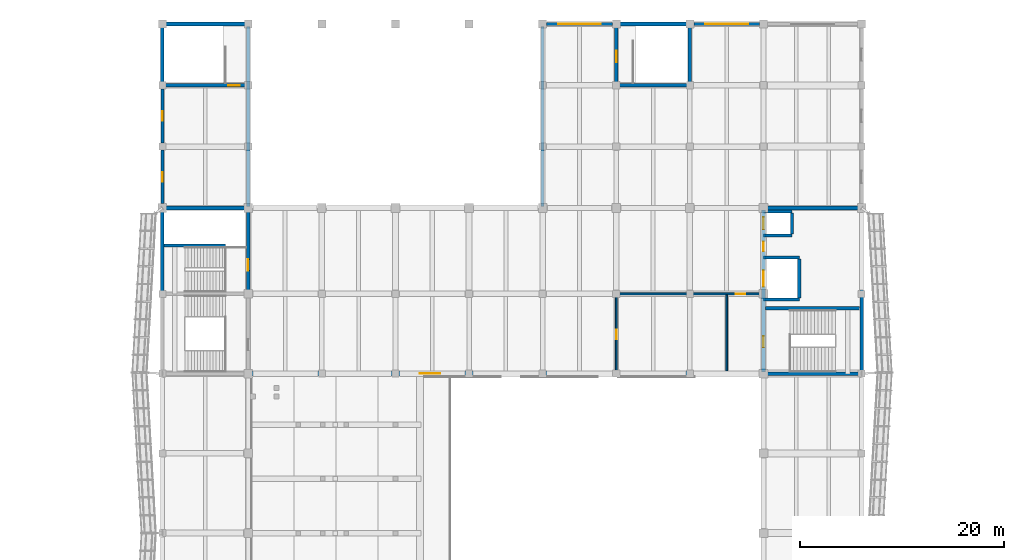
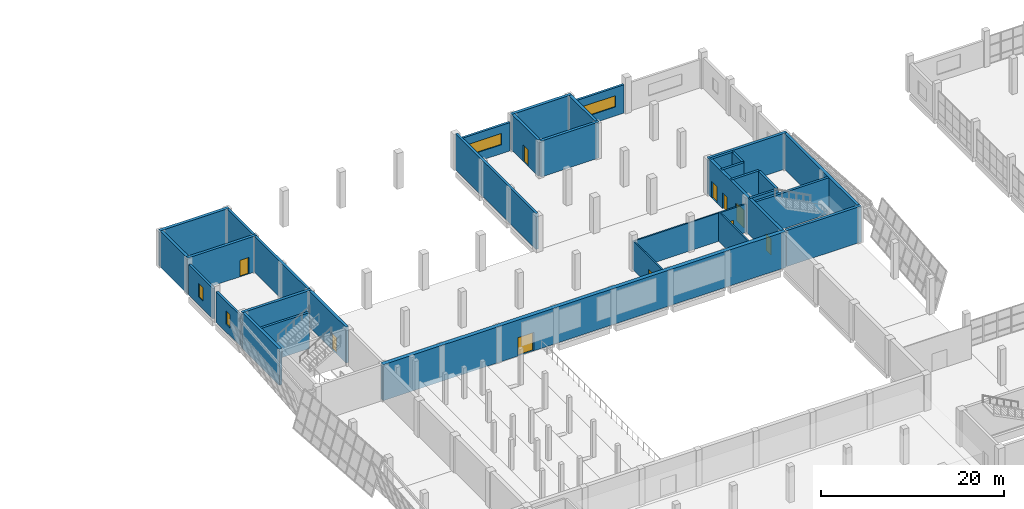
# One storey, part 82 of 91: 32 walls, 10 doors, 4 windows, 14 openings.
"""IFC4 building model written with IfcOpenShell, lengths in metres."""

from ifc_helpers import new_model, si_unit, direction, frame, frame_2d, origin, place, context, subcontext, project, spatial, rectangle, extrude, material, layer, layer_set, type_object, element, fill, save


model = new_model("IFC4")

# Units and contexts
model_context = context("Model", 3, precision=1e-05, world=origin(), true_north=direction((0.0, 1.0)))
body_context = subcontext(model_context, "Body", "Model", "MODEL_VIEW")
ifc_project = project(units=[si_unit("LENGTHUNIT", "METRE"), si_unit("AREAUNIT", "SQUARE_METRE"), si_unit("VOLUMEUNIT", "CUBIC_METRE"), si_unit("PLANEANGLEUNIT", "RADIAN"), si_unit("MASSUNIT", "GRAM", prefix="KILO")], contexts=[model_context])

# Site, building, storey
site_placement = place(None, origin())
site = spatial("IfcSite", under=ifc_project, at=site_placement, CompositionType="ELEMENT")
building_placement = place(site_placement, origin())
building = spatial("IfcBuilding", under=site, at=building_placement, Name="Pellamere Symphony Hall", CompositionType="ELEMENT")
storey_placement = place(building_placement, frame((0.0, 0.0, 5.39990234375)))
storey = spatial("IfcBuildingStorey", under=building, at=storey_placement, Name="L01", CompositionType="ELEMENT", Elevation=5.39990234375)

# Wall, opening, window
ifc_material_1 = material(Name="Architectural Limestone-Clad Insulated Backing Assembly", Category="masonry")
ifc_layer_1 = layer(ifc_material_1, 0.280029296875, Name="Architectural Limestone-Clad Insulated Backing Assembly")
ifc_layer_set_1 = layer_set([ifc_layer_1], Name="Architectural Limestone-Clad Insulated Backing Assembly")
wall_type_1 = type_object("IfcWallType", Name="Exterior Wall EW-03 280mm", PredefinedType="SOLIDWALL", material=ifc_layer_set_1)
wall_1_placement = place(storey_placement, frame((87.989990234375, 111.60009765625, 0.0), z_axis=(0.0, 0.0, 1.0), x_axis=(1.0, 0.0, 0.0)))
wall_1 = element("IfcWall", 1, at=wall_1_placement, inside=storey, type_object=wall_type_1, Name="Exterior Wall EW-03-028 (L01)", PredefinedType="SOLIDWALL", context=body_context, shape_type="SweptSolid", body=[
    extrude(rectangle(XDim=6.419921875, YDim=0.280029296875, at=frame_2d((3.2099609375, 0.0))), origin(), (0.0, 0.0, 1.0), 3.780029296875),
])
opening_1_placement = place(wall_1_placement, frame((1.110107421875, 0.0, 1.199951171875)))
opening_1 = element("IfcOpeningElement", 2, at=opening_1_placement, cuts=wall_1, Name="Opening W022", PredefinedType="OPENING", context=body_context, shape_type="SweptSolid", body=[
    extrude(rectangle(XDim=4.199951171875, YDim=1.5, at=frame_2d((2.10009765625, 0.75))), frame((0.0, 0.14990234375, 0.0), z_axis=(0.0, -1.0, 0.0), x_axis=(1.0, 0.0, 0.0)), (0.0, 0.0, 1.0), 0.300048828125),
])
ifc_material_2 = material(Name="Thermally Broken Aluminium Triple-Glazed Acoustic Window", Category="aluminium")
window_type_1 = type_object("IfcWindowType", Name="Window WN-09 4200x1500", PartitioningType="TRIPLE_PANEL_HORIZONTAL", PredefinedType="WINDOW", material=ifc_material_2)
window_1_placement = place(opening_1_placement, origin())
window_1 = element("IfcWindow", 3, at=window_1_placement, inside=storey, type_object=window_type_1, Name="Exterior Window W022 (L01)", OverallHeight=1.5, OverallWidth=4.199951171875, PartitioningType="SINGLE_PANEL", PredefinedType="WINDOW", context=body_context, shape_type="SweptSolid", body=[
    extrude(rectangle(XDim=4.199951171875, YDim=1.5, at=frame_2d((2.10009765625, 0.75))), frame((0.0, 0.030029296875, 0.0), z_axis=(0.0, -1.0, 0.0), x_axis=(1.0, 0.0, 0.0)), (0.0, 0.0, 1.0), 0.06005859375),
])
fill(opening_1, window_1)

wall_2_placement = place(storey_placement, frame((102.389892578125, 111.60009765625, 0.0), z_axis=(0.0, 0.0, 1.0), x_axis=(1.0, 0.0, 0.0)))
wall_2 = element("IfcWall", 4, at=wall_2_placement, inside=storey, type_object=wall_type_1, Name="Exterior Wall EW-03-029 (L01)", PredefinedType="SOLIDWALL", context=body_context, shape_type="SweptSolid", body=[
    extrude(rectangle(XDim=6.420166015625, YDim=0.280029296875, at=frame_2d((3.2099609375, 0.0))), origin(), (0.0, 0.0, 1.0), 3.780029296875),
])
opening_2_placement = place(wall_2_placement, frame((1.110107421875, 0.0, 1.199951171875)))
opening_2 = element("IfcOpeningElement", 5, at=opening_2_placement, cuts=wall_2, Name="Opening W023", PredefinedType="OPENING", context=body_context, shape_type="SweptSolid", body=[
    extrude(rectangle(XDim=4.199951171875, YDim=1.5, at=frame_2d((2.10009765625, 0.75))), frame((0.0, 0.14990234375, 0.0), z_axis=(0.0, -1.0, 0.0), x_axis=(1.0, 0.0, 0.0)), (0.0, 0.0, 1.0), 0.300048828125),
])
window_2_placement = place(opening_2_placement, origin())
window_2 = element("IfcWindow", 6, at=window_2_placement, inside=storey, type_object=window_type_1, Name="Exterior Window W023 (L01)", OverallHeight=1.5, OverallWidth=4.199951171875, PartitioningType="SINGLE_PANEL", PredefinedType="WINDOW", context=body_context, shape_type="SweptSolid", body=[
    extrude(rectangle(XDim=4.199951171875, YDim=1.5, at=frame_2d((2.10009765625, 0.75))), frame((0.0, 0.030029296875, 0.0), z_axis=(0.0, -1.0, 0.0), x_axis=(1.0, 0.0, 0.0)), (0.0, 0.0, 1.0), 0.06005859375),
])
fill(opening_2, window_2)

wall_3_placement = place(storey_placement, frame((50.39990234375, 94.02490234375, 0.0), z_axis=(0.0, 0.0, 1.0), x_axis=(0.0, 1.0, 0.0)))
wall_3 = element("IfcWall", 7, at=wall_3_placement, inside=storey, type_object=wall_type_1, Name="Exterior Wall EW-03-031 (L01)", PredefinedType="SOLIDWALL", context=body_context, shape_type="SweptSolid", body=[
    extrude(rectangle(XDim=5.22509765625, YDim=0.280029296875, at=frame_2d((2.612548828125, 0.0))), origin(), (0.0, 0.0, 1.0), 4.065673828125),
])
opening_3_placement = place(wall_3_placement, frame((2.137451171875, 0.0, 1.050048828125)))
opening_3 = element("IfcOpeningElement", 8, at=opening_3_placement, cuts=wall_3, Name="Opening W025", PredefinedType="OPENING", context=body_context, shape_type="SweptSolid", body=[
    extrude(rectangle(XDim=0.949951171875, YDim=1.800048828125, at=frame_2d((0.47509765625, 0.89990234375))), frame((0.0, 0.14990234375, 0.0), z_axis=(0.0, -1.0, 0.0), x_axis=(1.0, 0.0, 0.0)), (0.0, 0.0, 1.0), 0.300048828125),
])
window_type_2 = type_object("IfcWindowType", Name="Window WN-08 950x1800", PartitioningType="SINGLE_PANEL", PredefinedType="WINDOW", material=ifc_material_2)
window_3_placement = place(opening_3_placement, origin())
window_3 = element("IfcWindow", 9, at=window_3_placement, inside=storey, type_object=window_type_2, Name="Exterior Window W025 (L01)", OverallHeight=1.800048828125, OverallWidth=0.949951171875, PartitioningType="SINGLE_PANEL", PredefinedType="WINDOW", context=body_context, shape_type="SweptSolid", body=[
    extrude(rectangle(XDim=0.949951171875, YDim=1.800048828125, at=frame_2d((0.47509765625, 0.89990234375))), frame((0.0, 0.030029296875, 0.0), z_axis=(0.0, -1.0, 0.0), x_axis=(1.0, 0.0, 0.0)), (0.0, 0.0, 1.0), 0.06005859375),
])
fill(opening_3, window_3)

wall_4_placement = place(storey_placement, frame((50.39990234375, 99.949951171875, 0.0), z_axis=(0.0, 0.0, 1.0), x_axis=(0.0, 1.0, 0.0)))
wall_4 = element("IfcWall", 10, at=wall_4_placement, inside=storey, type_object=wall_type_1, Name="Exterior Wall EW-03-033 (L01)", PredefinedType="SOLIDWALL", context=body_context, shape_type="SweptSolid", body=[
    extrude(rectangle(XDim=5.300048828125, YDim=0.280029296875, at=frame_2d((2.64990234375, 0.0))), origin(), (0.0, 0.0, 1.0), 4.065673828125),
])
opening_4_placement = place(wall_4_placement, frame((2.175048828125, 0.0, 1.050048828125)))
opening_4 = element("IfcOpeningElement", 11, at=opening_4_placement, cuts=wall_4, Name="Opening W027", PredefinedType="OPENING", context=body_context, shape_type="SweptSolid", body=[
    extrude(rectangle(XDim=0.949951171875, YDim=1.800048828125, at=frame_2d((0.47509765625, 0.89990234375))), frame((0.0, 0.14990234375, 0.0), z_axis=(0.0, -1.0, 0.0), x_axis=(1.0, 0.0, 0.0)), (0.0, 0.0, 1.0), 0.300048828125),
])
window_4_placement = place(opening_4_placement, origin())
window_4 = element("IfcWindow", 12, at=window_4_placement, inside=storey, type_object=window_type_2, Name="Exterior Window W027 (L01)", OverallHeight=1.800048828125, OverallWidth=0.949951171875, PartitioningType="SINGLE_PANEL", PredefinedType="WINDOW", context=body_context, shape_type="SweptSolid", body=[
    extrude(rectangle(XDim=0.949951171875, YDim=1.800048828125, at=frame_2d((0.47509765625, 0.89990234375))), frame((0.0, 0.030029296875, 0.0), z_axis=(0.0, -1.0, 0.0), x_axis=(1.0, 0.0, 0.0)), (0.0, 0.0, 1.0), 0.06005859375),
])
fill(opening_4, window_4)

# Wall, opening, door
ifc_material_3 = material(Name="Moisture-Resistant Ceramic-Tiled Washroom Wall", Category="gypsum")
ifc_layer_2 = layer(ifc_material_3, 0.179931640625, Name="Moisture-Resistant Ceramic-Tiled Washroom Wall")
ifc_layer_set_2 = layer_set([ifc_layer_2], Name="Moisture-Resistant Ceramic-Tiled Washroom Wall")
wall_type_2 = type_object("IfcWallType", Name="Interior Partition IW-06 180mm", PredefinedType="PARTITIONING", material=ifc_layer_set_2)
wall_5_placement = place(storey_placement, frame((94.800048828125, 77.550048828125, 0.0), z_axis=(0.0, 0.0, 1.0), x_axis=(0.0, 1.0, 0.0)))
wall_5 = element("IfcWall", 13, at=wall_5_placement, inside=storey, type_object=wall_type_2, Name="Interior Partition IW-06-069 (L01)", PredefinedType="PARTITIONING", context=body_context, shape_type="SweptSolid", body=[
    extrude(rectangle(XDim=7.64990234375, YDim=0.179931640625, at=frame_2d((3.824951171875, 0.0))), origin(), (0.0, 0.0, 1.0), 3.85009765625),
])
opening_5_placement = place(wall_5_placement, frame((3.199951171875, 0.0, 0.0)))
opening_5 = element("IfcOpeningElement", 14, at=opening_5_placement, cuts=wall_5, Name="Opening ID-WC1-032", PredefinedType="OPENING", context=body_context, shape_type="SweptSolid", body=[
    extrude(rectangle(XDim=0.919921875, YDim=2.14990234375, at=frame_2d((0.4599609375, 1.074951171875))), frame((0.0, 0.099853515625, 0.0), z_axis=(0.0, -1.0, 0.0), x_axis=(1.0, 0.0, 0.0)), (0.0, 0.0, 1.0), 0.199951171875),
])
ifc_material_4 = material(Name="Accessible Washroom Privacy Door", Category="wood")
door_type_1 = type_object("IfcDoorType", Name="Interior Door ID-WC1 920x2150", OperationType="NOTDEFINED", PredefinedType="DOOR", material=ifc_material_4)
door_1_placement = place(opening_5_placement, origin())
door_1 = element("IfcDoor", 15, at=door_1_placement, inside=storey, type_object=door_type_1, Name="Dress Circle Public Washroom Door", OperationType="SINGLE_SWING_LEFT", OverallHeight=2.14990234375, OverallWidth=0.919921875, PredefinedType="DOOR", context=body_context, shape_type="SweptSolid", body=[
    extrude(rectangle(XDim=0.919921875, YDim=2.14990234375, at=frame_2d((0.4599609375, 1.074951171875))), frame((0.0, 0.02490234375, 0.0), z_axis=(0.0, -1.0, 0.0), x_axis=(1.0, 0.0, 0.0)), (0.0, 0.0, 1.0), 0.050048828125),
])
fill(opening_5, door_1)

wall_6_placement = place(storey_placement, frame((94.889892578125, 85.199951171875, 0.0), z_axis=(0.0, 0.0, 1.0), x_axis=(1.0, 0.0, 0.0)))
wall_6 = element("IfcWall", 16, at=wall_6_placement, inside=storey, type_object=wall_type_2, Name="Interior Partition IW-06-070 (L01)", PredefinedType="PARTITIONING", context=body_context, shape_type="SweptSolid", body=[
    extrude(rectangle(XDim=14.130126953125, YDim=0.179931640625, at=frame_2d((7.06494140625, 0.0))), origin(), (0.0, 0.0, 1.0), 3.780029296875),
])
opening_6_placement = place(wall_6_placement, frame((11.60009765625, 0.0, 0.0)))
opening_6 = element("IfcOpeningElement", 17, at=opening_6_placement, cuts=wall_6, Name="Opening ID-WC1-033", PredefinedType="OPENING", context=body_context, shape_type="SweptSolid", body=[
    extrude(rectangle(XDim=0.919921875, YDim=2.14990234375, at=frame_2d((0.4599609375, 1.074951171875))), frame((0.0, 0.099853515625, 0.0), z_axis=(0.0, -1.0, 0.0), x_axis=(1.0, 0.0, 0.0)), (0.0, 0.0, 1.0), 0.199951171875),
])
door_2_placement = place(opening_6_placement, origin())
door_2 = element("IfcDoor", 18, at=door_2_placement, inside=storey, type_object=door_type_1, Name="Dress Circle Accessible WC Door", OperationType="SINGLE_SWING_RIGHT", OverallHeight=2.14990234375, OverallWidth=0.919921875, PredefinedType="DOOR", context=body_context, shape_type="SweptSolid", body=[
    extrude(rectangle(XDim=0.919921875, YDim=2.14990234375, at=frame_2d((0.4599609375, 1.074951171875))), frame((0.0, 0.02490234375, 0.0), z_axis=(0.0, -1.0, 0.0), x_axis=(1.0, 0.0, 0.0)), (0.0, 0.0, 1.0), 0.050048828125),
])
fill(opening_6, door_2)

# Walls
wall_7_placement = place(storey_placement, frame((105.60009765625, 77.659912109375, 0.0), z_axis=(0.0, 0.0, 1.0), x_axis=(0.0, 1.0, 0.0)))
element("IfcWall", 19, at=wall_7_placement, inside=storey, type_object=wall_type_2, Name="Interior Partition IW-06-071 (L01)", PredefinedType="PARTITIONING", context=body_context, shape_type="SweptSolid", body=[
    extrude(rectangle(XDim=7.440185546875, YDim=0.179931640625, at=frame_2d((3.72021484375, 0.0))), origin(), (0.0, 0.0, 1.0), 3.93505859375),
])
ifc_material_5 = material(Name="Concrete 40 MPa", Category="concrete")
ifc_layer_3 = layer(ifc_material_5, 0.35009765625, Name="Concrete 40 MPa")
ifc_layer_set_3 = layer_set([ifc_layer_3], Name="Concrete 40 MPa")
wall_type_3 = type_object("IfcWallType", Name="Structural Wall SW-03 350mm", PredefinedType="SHEAR", material=ifc_layer_set_3)
wall_8_placement = place(storey_placement, frame((109.52001953125, 77.39990234375, 0.0), z_axis=(0.0, 0.0, 1.0), x_axis=(1.0, 0.0, 0.0)))
element("IfcWall", 20, at=wall_8_placement, inside=storey, type_object=wall_type_3, Name="Core Shear Wall C4 S (L01)", PredefinedType="SHEAR", context=body_context, shape_type="SweptSolid", body=[
    extrude(rectangle(XDim=9.455078125, YDim=0.35009765625, at=frame_2d((4.7275390625, 0.0))), origin(), (0.0, 0.0, 1.0), 4.800048828125),
])
wall_9_placement = place(storey_placement, frame((109.02490234375, 93.60009765625, 0.0), z_axis=(0.0, 0.0, 1.0), x_axis=(1.0, 0.0, 0.0)))
element("IfcWall", 21, at=wall_9_placement, inside=storey, type_object=wall_type_3, Name="Core Shear Wall C4 N (L01)", PredefinedType="SHEAR", context=body_context, shape_type="SweptSolid", body=[
    extrude(rectangle(XDim=9.9501953125, YDim=0.35009765625, at=frame_2d((4.97509765625, 0.0))), origin(), (0.0, 0.0, 1.0), 4.800048828125),
])

# Wall, openings, doors
wall_10_placement = place(storey_placement, frame((109.199951171875, 77.574951171875, 0.0), z_axis=(0.0, 0.0, 1.0), x_axis=(0.0, 1.0, 0.0)))
wall_10 = element("IfcWall", 22, at=wall_10_placement, inside=storey, type_object=wall_type_3, Name="Core Shear Wall C4 W (L01)", PredefinedType="SHEAR", context=body_context, shape_type="SweptSolid", body=[
    extrude(rectangle(XDim=15.85009765625, YDim=0.35009765625, at=frame_2d((7.925048828125, 0.0))), origin(), (0.0, 0.0, 1.0), 4.800048828125),
])
opening_7_placement = place(wall_10_placement, frame((8.324951171875, 0.0, 0.0)))
opening_7 = element("IfcOpeningElement", 23, at=opening_7_placement, cuts=wall_10, Name="Opening LD-47", PredefinedType="OPENING", context=body_context, shape_type="SweptSolid", body=[
    extrude(rectangle(XDim=1.60009765625, YDim=2.39990234375, at=frame_2d((0.800048828125, 1.199951171875))), frame((0.0, 0.18505859375, 0.0), z_axis=(0.0, -1.0, 0.0), x_axis=(1.0, 0.0, 0.0)), (0.0, 0.0, 1.0), 0.3701171875),
])
opening_8_placement = place(wall_10_placement, frame((13.925048828125, 0.0, 0.0)))
opening_8 = element("IfcOpeningElement", 24, at=opening_8_placement, cuts=wall_10, Name="Opening LD-52", PredefinedType="OPENING", context=body_context, shape_type="SweptSolid", body=[
    extrude(rectangle(XDim=1.199951171875, YDim=2.199951171875, at=frame_2d((0.60009765625, 1.10009765625))), frame((0.0, 0.18505859375, 0.0), z_axis=(0.0, -1.0, 0.0), x_axis=(1.0, 0.0, 0.0)), (0.0, 0.0, 1.0), 0.3701171875),
])
opening_9_placement = place(wall_10_placement, frame((11.7900390625, 0.0, 0.0)))
opening_9 = element("IfcOpeningElement", 25, at=opening_9_placement, cuts=wall_10, Name="Opening FD-124", PredefinedType="OPENING", context=body_context, shape_type="SweptSolid", body=[
    extrude(rectangle(XDim=0.949951171875, YDim=2.10009765625, at=frame_2d((0.47509765625, 1.050048828125))), frame((0.0, 0.18505859375, 0.0), z_axis=(0.0, -1.0, 0.0), x_axis=(1.0, 0.0, 0.0)), (0.0, 0.0, 1.0), 0.3701171875),
])
opening_10_placement = place(wall_10_placement, frame((2.39990234375, 0.0, 0.0)))
opening_10 = element("IfcOpeningElement", 26, at=opening_10_placement, cuts=wall_10, Name="Opening SD-19", PredefinedType="OPENING", context=body_context, shape_type="SweptSolid", body=[
    extrude(rectangle(XDim=1.10009765625, YDim=2.199951171875, at=frame_2d((0.550048828125, 1.10009765625))), frame((0.0, 0.18505859375, 0.0), z_axis=(0.0, -1.0, 0.0), x_axis=(1.0, 0.0, 0.0)), (0.0, 0.0, 1.0), 0.3701171875),
])
ifc_material_6 = material(Name="Two-Hour Fire-Rated Steel Compartment Door", Category="steel")
door_type_2 = type_object("IfcDoorType", Name="Interior Door ID-FD3 950x2100", OperationType="NOTDEFINED", PredefinedType="DOOR", material=ifc_material_6)
door_3_placement = place(opening_9_placement, origin())
door_3 = element("IfcDoor", 27, at=door_3_placement, inside=storey, type_object=door_type_2, Name="Core C4 Stage Service and Riser Door (L01)", OperationType="SINGLE_SWING_LEFT", OverallHeight=2.10009765625, OverallWidth=0.949951171875, PredefinedType="DOOR", context=body_context, shape_type="SweptSolid", body=[
    extrude(rectangle(XDim=0.949951171875, YDim=2.10009765625, at=frame_2d((0.47509765625, 1.050048828125))), frame((0.0, 0.02490234375, 0.0), z_axis=(0.0, -1.0, 0.0), x_axis=(1.0, 0.0, 0.0)), (0.0, 0.0, 1.0), 0.050048828125),
])
fill(opening_9, door_3)
ifc_material_7 = material(Name="Stainless Steel AISI 316 Elevator Landing Door", Category="steel")
door_type_3 = type_object("IfcDoorType", Name="Interior Door ID-LD1 1200x2200", OperationType="NOTDEFINED", PredefinedType="DOOR", material=ifc_material_7)
door_4_placement = place(opening_8_placement, origin())
door_4 = element("IfcDoor", 28, at=door_4_placement, inside=storey, type_object=door_type_3, Name="Elevator PL6 Sliding Landing Door (L01)", OperationType="SLIDING_TO_RIGHT", OverallHeight=2.199951171875, OverallWidth=1.199951171875, PredefinedType="DOOR", context=body_context, shape_type="SweptSolid", body=[
    extrude(rectangle(XDim=1.199951171875, YDim=2.199951171875, at=frame_2d((0.60009765625, 1.10009765625))), frame((0.0, 0.02490234375, 0.0), z_axis=(0.0, -1.0, 0.0), x_axis=(1.0, 0.0, 0.0)), (0.0, 0.0, 1.0), 0.050048828125),
])
fill(opening_8, door_4)
ifc_material_8 = material(Name="Heavy-Duty Stainless Freight Elevator Landing Door", Category="steel")
door_type_4 = type_object("IfcDoorType", Name="Interior Door ID-LD2 1600x2400", OperationType="NOTDEFINED", PredefinedType="DOOR", material=ifc_material_8)
door_5_placement = place(opening_7_placement, origin())
door_5 = element("IfcDoor", 29, at=door_5_placement, inside=storey, type_object=door_type_4, Name="Elevator GL1 Sliding Landing Door (L01)", OperationType="SLIDING_TO_LEFT", OverallHeight=2.39990234375, OverallWidth=1.60009765625, PredefinedType="DOOR", context=body_context, shape_type="SweptSolid", body=[
    extrude(rectangle(XDim=1.60009765625, YDim=2.39990234375, at=frame_2d((0.800048828125, 1.199951171875))), frame((0.0, 0.02490234375, 0.0), z_axis=(0.0, -1.0, 0.0), x_axis=(1.0, 0.0, 0.0)), (0.0, 0.0, 1.0), 0.050048828125),
])
fill(opening_7, door_5)
ifc_material_9 = material(Name="Fire-Rated Steel Exit Stair Door", Category="steel")
door_type_5 = type_object("IfcDoorType", Name="Interior Door ID-SD1 1100x2200", OperationType="NOTDEFINED", PredefinedType="DOOR", material=ifc_material_9)
door_6_placement = place(opening_10_placement, frame((1.10009765625, 0.0, 0.0), z_axis=(0.0, 0.0, 1.0), x_axis=(-1.0, 0.0, 0.0)))
door_6 = element("IfcDoor", 30, at=door_6_placement, inside=storey, type_object=door_type_5, Name="Core C4 Exit Stair Door (L01)", OperationType="SINGLE_SWING_LEFT", OverallHeight=2.199951171875, OverallWidth=1.10009765625, PredefinedType="DOOR", context=body_context, shape_type="SweptSolid", body=[
    extrude(rectangle(XDim=1.10009765625, YDim=2.199951171875, at=frame_2d((0.550048828125, 1.10009765625))), frame((0.0, 0.02490234375, 0.0), z_axis=(0.0, -1.0, 0.0), x_axis=(1.0, 0.0, 0.0)), (0.0, 0.0, 1.0), 0.050048828125),
])
fill(opening_10, door_6)

# Wall
wall_11_placement = place(storey_placement, frame((118.800048828125, 77.574951171875, 0.0), z_axis=(0.0, 0.0, 1.0), x_axis=(0.0, 1.0, 0.0)))
element("IfcWall", 31, at=wall_11_placement, inside=storey, type_object=wall_type_3, Name="Core Shear Wall C4 E (L01)", PredefinedType="SHEAR", context=body_context, shape_type="SweptSolid", body=[
    extrude(rectangle(XDim=15.85009765625, YDim=0.35009765625, at=frame_2d((7.925048828125, 0.0))), origin(), (0.0, 0.0, 1.0), 4.800048828125),
])

# Wall, opening, door
wall_12_placement = place(storey_placement, frame((50.22509765625, 105.60009765625, 0.0), z_axis=(0.0, 0.0, 1.0), x_axis=(1.0, 0.0, 0.0)))
wall_12 = element("IfcWall", 32, at=wall_12_placement, inside=storey, type_object=wall_type_3, Name="Stair ST10 Enclosure Wall S (L01)", PredefinedType="SHEAR", context=body_context, shape_type="SweptSolid", body=[
    extrude(rectangle(XDim=8.75, YDim=0.35009765625, at=frame_2d((4.375, 0.0))), origin(), (0.0, 0.0, 1.0), 4.800048828125),
])
opening_11_placement = place(wall_12_placement, frame((6.625, 0.0, 0.0)))
opening_11 = element("IfcOpeningElement", 33, at=opening_11_placement, cuts=wall_12, Name="Opening SD-53", PredefinedType="OPENING", context=body_context, shape_type="SweptSolid", body=[
    extrude(rectangle(XDim=1.10009765625, YDim=2.199951171875, at=frame_2d((0.550048828125, 1.10009765625))), frame((0.0, 0.18505859375, 0.0), z_axis=(0.0, -1.0, 0.0), x_axis=(1.0, 0.0, 0.0)), (0.0, 0.0, 1.0), 0.3701171875),
])
door_7_placement = place(opening_11_placement, frame((1.10009765625, 0.0, 0.0), z_axis=(0.0, 0.0, 1.0), x_axis=(-1.0, 0.0, 0.0)))
door_7 = element("IfcDoor", 34, at=door_7_placement, inside=storey, type_object=door_type_5, Name="Exit Stair ST10 Door (L01)", OperationType="SINGLE_SWING_LEFT", OverallHeight=2.199951171875, OverallWidth=1.10009765625, PredefinedType="DOOR", context=body_context, shape_type="SweptSolid", body=[
    extrude(rectangle(XDim=1.10009765625, YDim=2.199951171875, at=frame_2d((0.550048828125, 1.10009765625))), frame((0.0, 0.02490234375, 0.0), z_axis=(0.0, -1.0, 0.0), x_axis=(1.0, 0.0, 0.0)), (0.0, 0.0, 1.0), 0.050048828125),
])
fill(opening_11, door_7)

# Walls
wall_13_placement = place(storey_placement, frame((50.39990234375, 105.77490234375, 0.0), z_axis=(0.0, 0.0, 1.0), x_axis=(0.0, 1.0, 0.0)))
element("IfcWall", 35, at=wall_13_placement, inside=storey, type_object=wall_type_3, Name="Stair ST10 Enclosure Wall W (L01)", PredefinedType="SHEAR", context=body_context, shape_type="SweptSolid", body=[
    extrude(rectangle(XDim=5.650146484375, YDim=0.35009765625, at=frame_2d((2.8251953125, 0.0))), origin(), (0.0, 0.0, 1.0), 4.800048828125),
])
wall_14_placement = place(storey_placement, frame((94.820068359375, 105.60009765625, 0.0), z_axis=(0.0, 0.0, 1.0), x_axis=(1.0, 0.0, 0.0)))
element("IfcWall", 36, at=wall_14_placement, inside=storey, type_object=wall_type_3, Name="Stair ST11 Enclosure Wall S (L01)", PredefinedType="SHEAR", context=body_context, shape_type="SweptSolid", body=[
    extrude(rectangle(XDim=7.35498046875, YDim=0.35009765625, at=frame_2d((3.677490234375, 0.0))), origin(), (0.0, 0.0, 1.0), 4.800048828125),
])

# Wall, opening, door
wall_15_placement = place(storey_placement, frame((94.800048828125, 105.77490234375, 0.0), z_axis=(0.0, 0.0, 1.0), x_axis=(0.0, 1.0, 0.0)))
wall_15 = element("IfcWall", 37, at=wall_15_placement, inside=storey, type_object=wall_type_3, Name="Stair ST11 Enclosure Wall W (L01)", PredefinedType="SHEAR", context=body_context, shape_type="SweptSolid", body=[
    extrude(rectangle(XDim=5.650146484375, YDim=0.35009765625, at=frame_2d((2.8251953125, 0.0))), origin(), (0.0, 0.0, 1.0), 4.800048828125),
])
opening_12_placement = place(wall_15_placement, frame((2.10009765625, 0.0, 0.0)))
opening_12 = element("IfcOpeningElement", 38, at=opening_12_placement, cuts=wall_15, Name="Opening SD-55", PredefinedType="OPENING", context=body_context, shape_type="SweptSolid", body=[
    extrude(rectangle(XDim=1.10009765625, YDim=2.199951171875, at=frame_2d((0.550048828125, 1.10009765625))), frame((0.0, 0.18505859375, 0.0), z_axis=(0.0, -1.0, 0.0), x_axis=(1.0, 0.0, 0.0)), (0.0, 0.0, 1.0), 0.3701171875),
])
door_8_placement = place(opening_12_placement, frame((1.10009765625, 0.0, 0.0), z_axis=(0.0, 0.0, 1.0), x_axis=(-1.0, 0.0, 0.0)))
door_8 = element("IfcDoor", 39, at=door_8_placement, inside=storey, type_object=door_type_5, Name="Exit Stair ST11 Door (L01)", OperationType="SINGLE_SWING_LEFT", OverallHeight=2.199951171875, OverallWidth=1.10009765625, PredefinedType="DOOR", context=body_context, shape_type="SweptSolid", body=[
    extrude(rectangle(XDim=1.10009765625, YDim=2.199951171875, at=frame_2d((0.550048828125, 1.10009765625))), frame((0.0, 0.02490234375, 0.0), z_axis=(0.0, -1.0, 0.0), x_axis=(1.0, 0.0, 0.0)), (0.0, 0.0, 1.0), 0.050048828125),
])
fill(opening_12, door_8)

# Walls
wall_16_placement = place(storey_placement, frame((102.0, 105.77490234375, 0.0), z_axis=(0.0, 0.0, 1.0), x_axis=(0.0, 1.0, 0.0)))
element("IfcWall", 40, at=wall_16_placement, inside=storey, type_object=wall_type_3, Name="Stair ST11 Enclosure Wall E (L01)", PredefinedType="SHEAR", context=body_context, shape_type="SweptSolid", body=[
    extrude(rectangle(XDim=5.650146484375, YDim=0.35009765625, at=frame_2d((2.8251953125, 0.0))), origin(), (0.0, 0.0, 1.0), 4.800048828125),
])
wall_17_placement = place(storey_placement, frame((50.22509765625, 93.60009765625, 0.0), z_axis=(0.0, 0.0, 1.0), x_axis=(1.0, 0.0, 0.0)))
element("IfcWall", 41, at=wall_17_placement, inside=storey, type_object=wall_type_3, Name="Stair ST13 Enclosure Wall N (L01)", PredefinedType="SHEAR", context=body_context, shape_type="SweptSolid", body=[
    extrude(rectangle(XDim=8.75, YDim=0.35009765625, at=frame_2d((4.375, 0.0))), origin(), (0.0, 0.0, 1.0), 4.800048828125),
])
wall_18_placement = place(storey_placement, frame((50.39990234375, 85.375, 0.0), z_axis=(0.0, 0.0, 1.0), x_axis=(0.0, 1.0, 0.0)))
element("IfcWall", 42, at=wall_18_placement, inside=storey, type_object=wall_type_3, Name="Stair ST13 Enclosure Wall W (L01)", PredefinedType="SHEAR", context=body_context, shape_type="SweptSolid", body=[
    extrude(rectangle(XDim=8.050048828125, YDim=0.35009765625, at=frame_2d((4.02490234375, 0.0))), origin(), (0.0, 0.0, 1.0), 4.800048828125),
])

# Wall, opening, door
wall_19_placement = place(storey_placement, frame((58.800048828125, 85.375, 0.0), z_axis=(0.0, 0.0, 1.0), x_axis=(0.0, 1.0, 0.0)))
wall_19 = element("IfcWall", 43, at=wall_19_placement, inside=storey, type_object=wall_type_3, Name="Stair ST13 Enclosure Wall E (L01)", PredefinedType="SHEAR", context=body_context, shape_type="SweptSolid", body=[
    extrude(rectangle(XDim=8.050048828125, YDim=0.35009765625, at=frame_2d((4.02490234375, 0.0))), origin(), (0.0, 0.0, 1.0), 4.800048828125),
])
opening_13_placement = place(wall_19_placement, frame((2.10009765625, 0.0, 0.0)))
opening_13 = element("IfcOpeningElement", 44, at=opening_13_placement, cuts=wall_19, Name="Opening SD-60", PredefinedType="OPENING", context=body_context, shape_type="SweptSolid", body=[
    extrude(rectangle(XDim=1.10009765625, YDim=2.199951171875, at=frame_2d((0.550048828125, 1.10009765625))), frame((0.0, 0.18505859375, 0.0), z_axis=(0.0, -1.0, 0.0), x_axis=(1.0, 0.0, 0.0)), (0.0, 0.0, 1.0), 0.3701171875),
])
door_9_placement = place(opening_13_placement, origin())
door_9 = element("IfcDoor", 45, at=door_9_placement, inside=storey, type_object=door_type_5, Name="Exit Stair ST13 Door (L01)", OperationType="SINGLE_SWING_RIGHT", OverallHeight=2.199951171875, OverallWidth=1.10009765625, PredefinedType="DOOR", context=body_context, shape_type="SweptSolid", body=[
    extrude(rectangle(XDim=1.10009765625, YDim=2.199951171875, at=frame_2d((0.550048828125, 1.10009765625))), frame((0.0, 0.02490234375, 0.0), z_axis=(0.0, -1.0, 0.0), x_axis=(1.0, 0.0, 0.0)), (0.0, 0.0, 1.0), 0.050048828125),
])
fill(opening_13, door_9)

# Walls
ifc_layer_4 = layer(ifc_material_5, 0.300048828125, Name="Concrete 40 MPa")
ifc_layer_set_4 = layer_set([ifc_layer_4], Name="Concrete 40 MPa")
wall_type_4 = type_object("IfcWallType", Name="Structural Wall SW-04 300mm", PredefinedType="SHEAR", material=ifc_layer_set_4)
for number, where, z_axis, x_axis, name in (
    (46, (58.800048828125, 93.75, 0.0), (0.0, 0.0, 1.0), (0.0, 1.0, 0.0), "Rehearsal Hall Acoustic Wall AW3-W (L01)"),
    (47, (87.60009765625, 93.75, 0.0), (0.0, 0.0, 1.0), (0.0, 1.0, 0.0), "Rehearsal Hall Acoustic Wall AW3-E (L01)"),
):
    element("IfcWall", number, at=place(storey_placement, frame(where, z_axis=z_axis, x_axis=x_axis)), inside=storey, type_object=wall_type_4, Name=name, PredefinedType="SHEAR", context=body_context, shape_type="SweptSolid", body=[
        extrude(rectangle(XDim=17.60009765625, YDim=0.300048828125, at=frame_2d((8.800048828125, 0.0))), origin(), (0.0, 0.0, 1.0), 4.800048828125),
    ])
wall_20_placement = place(storey_placement, frame((50.56494140625, 89.949951171875, 0.0), z_axis=(0.0, 0.0, 1.0), x_axis=(1.0, 0.0, 0.0)))
element("IfcWall", 48, at=wall_20_placement, inside=storey, type_object=wall_type_4, Name="Stair ST13 Discharge Divider Wall (L01)", PredefinedType="SHEAR", context=body_context, shape_type="SweptSolid", body=[
    extrude(rectangle(XDim=6.010009765625, YDim=0.300048828125, at=frame_2d((3.0048828125, 0.0))), origin(), (0.0, 0.0, 1.0), 4.800048828125),
])
for number, where, z_axis, x_axis, name in (
    (49, (109.199951171875, 84.64990234375, 0.0), (0.0, 0.0, 1.0), (1.0, 0.0, 0.0), "Elevator GL1 Hoistway Wall S (L01)"),
    (50, (109.199951171875, 88.75, 0.0), (0.0, 0.0, 1.0), (1.0, 0.0, 0.0), "Elevator GL1 Hoistway Wall N (L01)"),
):
    element("IfcWall", number, at=place(storey_placement, frame(where, z_axis=z_axis, x_axis=x_axis)), inside=storey, type_object=wall_type_4, Name=name, PredefinedType="SHEAR", context=body_context, shape_type="SweptSolid", body=[
        extrude(rectangle(XDim=3.5, YDim=0.300048828125, at=frame_2d((1.75, 0.0))), origin(), (0.0, 0.0, 1.0), 4.800048828125),
    ])
wall_21_placement = place(storey_placement, frame((112.699951171875, 84.800048828125, 0.0), z_axis=(0.0, 0.0, 1.0), x_axis=(0.0, 1.0, 0.0)))
element("IfcWall", 51, at=wall_21_placement, inside=storey, type_object=wall_type_4, Name="Elevator GL1 Hoistway Wall E (L01)", PredefinedType="SHEAR", context=body_context, shape_type="SweptSolid", body=[
    extrude(rectangle(XDim=3.800048828125, YDim=0.300048828125, at=frame_2d((1.89990234375, 0.0))), origin(), (0.0, 0.0, 1.0), 4.800048828125),
])
for number, where, z_axis, x_axis, name in (
    (52, (109.199951171875, 90.925048828125, 0.0), (0.0, 0.0, 1.0), (1.0, 0.0, 0.0), "Elevator PL6 Hoistway Wall S (L01)"),
    (53, (109.199951171875, 93.27490234375, 0.0), (0.0, 0.0, 1.0), (1.0, 0.0, 0.0), "Elevator PL6 Hoistway Wall N (L01)"),
):
    element("IfcWall", number, at=place(storey_placement, frame(where, z_axis=z_axis, x_axis=x_axis)), inside=storey, type_object=wall_type_4, Name=name, PredefinedType="SHEAR", context=body_context, shape_type="SweptSolid", body=[
        extrude(rectangle(XDim=2.800048828125, YDim=0.300048828125, at=frame_2d((1.39990234375, 0.0))), origin(), (0.0, 0.0, 1.0), 4.800048828125),
    ])
wall_22_placement = place(storey_placement, frame((112.0, 91.074951171875, 0.0), z_axis=(0.0, 0.0, 1.0), x_axis=(0.0, 1.0, 0.0)))
element("IfcWall", 54, at=wall_22_placement, inside=storey, type_object=wall_type_4, Name="Elevator PL6 Hoistway Wall E (L01)", PredefinedType="SHEAR", context=body_context, shape_type="SweptSolid", body=[
    extrude(rectangle(XDim=2.050048828125, YDim=0.300048828125, at=frame_2d((1.02490234375, 0.0))), origin(), (0.0, 0.0, 1.0), 4.800048828125),
])

# Wall, opening, door
ifc_material_10 = material(Name="Architectural warm-pigmented concrete 40 MPa", Category="concrete")
ifc_layer_5 = layer(ifc_material_10, 0.5, Name="Architectural warm-pigmented concrete 40 MPa")
ifc_layer_set_5 = layer_set([ifc_layer_5], Name="Architectural warm-pigmented concrete 40 MPa")
wall_type_5 = type_object("IfcWallType", Name="Structural Wall SW-05 500mm", PredefinedType="SOLIDWALL", material=ifc_layer_set_5)
wall_23_placement = place(storey_placement, frame((58.590087890625, 77.39990234375, 0.0), z_axis=(0.0, 0.0, 1.0), x_axis=(1.0, 0.0, 0.0)))
wall_23 = element("IfcWall", 55, at=wall_23_placement, inside=storey, type_object=wall_type_5, Name="Main Hall Acoustic Box Wall AW1-N (L01)", PredefinedType="SOLIDWALL", context=body_context, shape_type="SweptSolid", body=[
    extrude(rectangle(XDim=50.81982421875, YDim=0.5, at=frame_2d((25.409912109375, 0.0))), origin(), (0.0, 0.0, 1.0), 4.800048828125),
])
opening_14_placement = place(wall_23_placement, frame((17.0, 0.0, 0.0)))
opening_14 = element("IfcOpeningElement", 56, at=opening_14_placement, cuts=wall_23, Name="Opening AD-06", PredefinedType="OPENING", context=body_context, shape_type="SweptSolid", body=[
    extrude(rectangle(XDim=2.0, YDim=2.449951171875, at=frame_2d((1.0, 1.22509765625))), frame((0.0, 0.260009765625, 0.0), z_axis=(0.0, -1.0, 0.0), x_axis=(1.0, 0.0, 0.0)), (0.0, 0.0, 1.0), 0.52001953125),
])
ifc_material_11 = material(Name="STC-55 Solid White Oak Acoustic Hall Entry Door", Category="wood")
door_type_6 = type_object("IfcDoorType", Name="Interior Door ID-AD1 2000x2450", OperationType="NOTDEFINED", PredefinedType="DOOR", material=ifc_material_11)
door_10_placement = place(opening_14_placement, origin())
door_10 = element("IfcDoor", 57, at=door_10_placement, inside=storey, type_object=door_type_6, Name="Main Hall L01 Balcony Acoustic Entry Door N", OperationType="DOUBLE_DOOR_SINGLE_SWING", OverallHeight=2.449951171875, OverallWidth=2.0, PredefinedType="DOOR", context=body_context, shape_type="SweptSolid", body=[
    extrude(rectangle(XDim=2.0, YDim=2.449951171875, at=frame_2d((1.0, 1.22509765625))), frame((0.0, 0.02490234375, 0.0), z_axis=(0.0, -1.0, 0.0), x_axis=(1.0, 0.0, 0.0)), (0.0, 0.0, 1.0), 0.050048828125),
])
fill(opening_14, door_10)

# Walls
ifc_layer_6 = layer(ifc_material_5, 0.3798828125, Name="Concrete 40 MPa")
ifc_layer_set_6 = layer_set([ifc_layer_6], Name="Concrete 40 MPa")
wall_type_6 = type_object("IfcWallType", Name="Structural Wall SW-07 380mm", PredefinedType="SHEAR", material=ifc_layer_set_6)
wall_24_placement = place(storey_placement, frame((50.22509765625, 111.60009765625, 0.0), z_axis=(0.0, 0.0, 1.0), x_axis=(1.0, 0.0, 0.0)))
element("IfcWall", 58, at=wall_24_placement, inside=storey, type_object=wall_type_6, Name="Stair ST10 Enclosure Wall N (L01)", PredefinedType="SHEAR", context=body_context, shape_type="SweptSolid", body=[
    extrude(rectangle(XDim=8.75, YDim=0.3798828125, at=frame_2d((4.375, 0.0))), origin(), (0.0, 0.0, 1.0), 4.800048828125),
])
wall_25_placement = place(storey_placement, frame((94.625, 111.60009765625, 0.0), z_axis=(0.0, 0.0, 1.0), x_axis=(1.0, 0.0, 0.0)))
element("IfcWall", 59, at=wall_25_placement, inside=storey, type_object=wall_type_6, Name="Stair ST11 Enclosure Wall N (L01)", PredefinedType="SHEAR", context=body_context, shape_type="SweptSolid", body=[
    extrude(rectangle(XDim=7.550048828125, YDim=0.3798828125, at=frame_2d((3.77490234375, 0.0))), origin(), (0.0, 0.0, 1.0), 4.800048828125),
])
ifc_layer_7 = layer(ifc_material_5, 0.31005859375, Name="Concrete 40 MPa")
ifc_layer_set_7 = layer_set([ifc_layer_7], Name="Concrete 40 MPa")
wall_type_7 = type_object("IfcWallType", Name="Structural Wall SW-08 310mm", PredefinedType="SHEAR", material=ifc_layer_set_7)
wall_26_placement = place(storey_placement, frame((109.39501953125, 83.800048828125, 0.0), z_axis=(0.0, 0.0, 1.0), x_axis=(1.0, 0.0, 0.0)))
element("IfcWall", 60, at=wall_26_placement, inside=storey, type_object=wall_type_7, Name="Core Stair Divider Wall C4 (L01)", PredefinedType="SHEAR", context=body_context, shape_type="SweptSolid", body=[
    extrude(rectangle(XDim=9.2099609375, YDim=0.31005859375, at=frame_2d((4.60498046875, 0.0))), origin(), (0.0, 0.0, 1.0), 4.800048828125),
])

save(model, "model.ifc")
